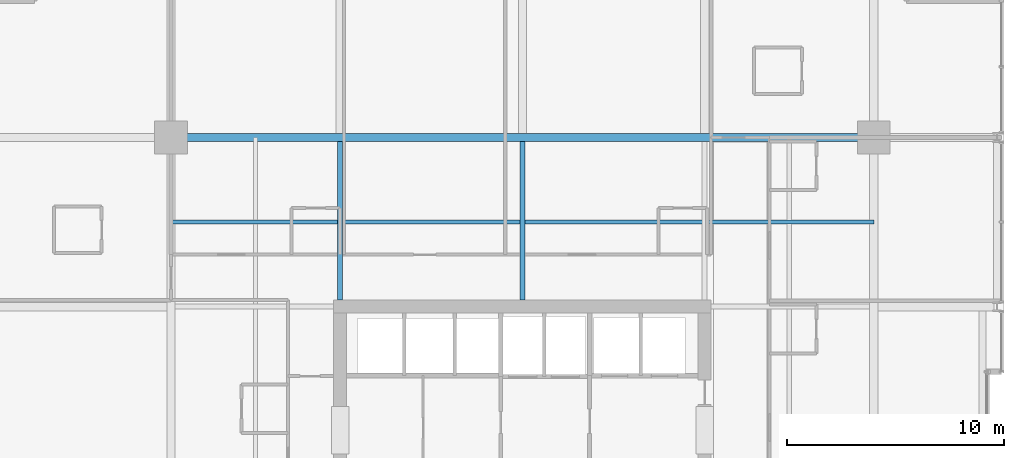
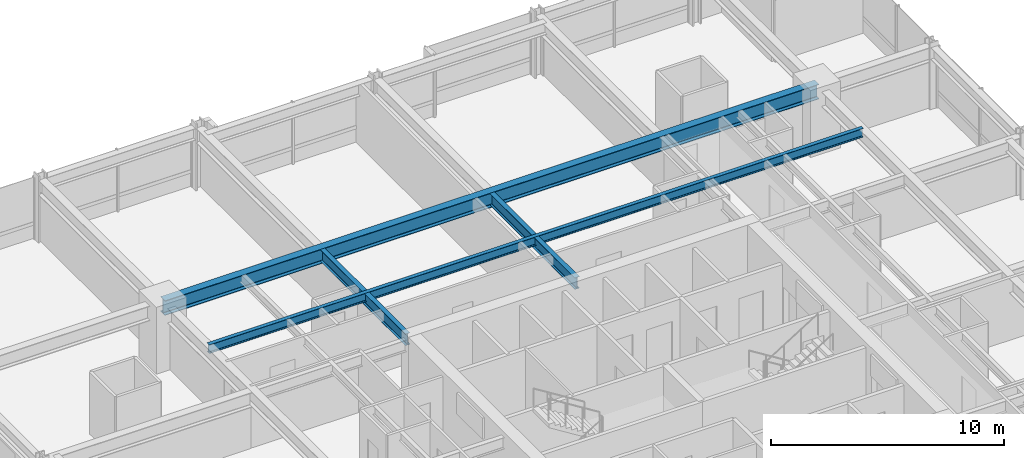
# One storey, part 19 of 34: 4 beams.
"""IFC4 building model written with IfcOpenShell, lengths in metres."""

from ifc_helpers import new_model, si_unit, direction, frame, origin, origin_2d, place, context, subcontext, project, spatial, i_section, extrude, material, material_profile, profile_set, type_object, element, save


model = new_model("IFC4")

# Units and contexts
model_context = context("Model", 3, precision=1e-05, world=origin(), true_north=direction((0.0, 1.0)))
body_context = subcontext(model_context, "Body", "Model", "MODEL_VIEW")
ifc_project = project(units=[si_unit("LENGTHUNIT", "METRE"), si_unit("AREAUNIT", "SQUARE_METRE"), si_unit("VOLUMEUNIT", "CUBIC_METRE"), si_unit("PLANEANGLEUNIT", "RADIAN"), si_unit("MASSUNIT", "GRAM", prefix="KILO")], contexts=[model_context])

# Site, building, storey
site_placement = place(None, origin())
site = spatial("IfcSite", under=ifc_project, at=site_placement, CompositionType="ELEMENT")
building_placement = place(site_placement, origin())
building = spatial("IfcBuilding", under=site, at=building_placement, Name="Drelvath Grand Hotel", CompositionType="ELEMENT")
storey_placement = place(building_placement, frame((0.0, 0.0, 102.300048828125)))
storey = spatial("IfcBuildingStorey", under=building, at=storey_placement, Name="L25", CompositionType="ELEMENT", Elevation=102.300048828125)

# Beams
ifc_material = material(Name="Steel ASTM A992 Gr 50", Category="steel")
ifc_material_profile_1 = material_profile(ifc_material, i_section(OverallWidth=0.19140625, OverallDepth=0.4599609375, WebThickness=0.010009765625, FlangeThickness=0.01611328125, FilletRadius=0.01611328125, at=origin_2d()), Name="W18X55")
ifc_profile_set_1 = profile_set([ifc_material_profile_1], Name="Steel ASTM A992 Gr 50")
beam_type_1 = type_object("IfcBeamType", Name="Composite Floor Joist W18X55", PredefinedType="JOIST", material=ifc_profile_set_1)
beam_1_placement = place(storey_placement, frame((-16.199951171875, 39.300048828125, 3.010009765625), z_axis=(1.0, 0.0, 0.0), x_axis=(0.0, 1.0, 0.0)))
element("IfcBeam", 1, at=beam_1_placement, inside=storey, type_object=beam_type_1, Name="L25 Floor Joist J2", PredefinedType="JOIST", context=body_context, shape_type="SweptSolid", body=[
    extrude(i_section(OverallWidth=0.19140625, OverallDepth=0.4599609375, WebThickness=0.010009765625, FlangeThickness=0.01611328125, FilletRadius=0.01611328125, at=origin_2d()), origin(), (0.0, 0.0, 1.0), 32.39990234375),
])
ifc_material_profile_2 = material_profile(ifc_material, i_section(OverallWidth=0.228271484375, OverallDepth=0.607666015625, WebThickness=0.01123046875, FlangeThickness=0.017333984375, FilletRadius=0.02001953125, at=origin_2d()), Name="W24X76")
ifc_profile_set_2 = profile_set([ifc_material_profile_2], Name="Steel ASTM A992 Gr 50")
beam_type_2 = type_object("IfcBeamType", Name="Primary Floor Girder W24X76", PredefinedType="BEAM", material=ifc_profile_set_2)
for number, where, z_axis, x_axis, name in (
    (2, (-8.39990234375, 35.699951171875, 2.93603515625), (0.0, 1.0, 0.0), (-1.0, 0.0, 0.0), "L25 North Core Tie 4"),
    (3, (0.0, 35.699951171875, 2.93603515625), (0.0, 1.0, 0.0), (-1.0, 0.0, 0.0), "L25 North Core Tie 5"),
):
    element("IfcBeam", number, at=place(storey_placement, frame(where, z_axis=z_axis, x_axis=x_axis)), inside=storey, type_object=beam_type_2, Name=name, PredefinedType="BEAM", context=body_context, shape_type="SweptSolid", body=[
        extrude(i_section(OverallWidth=0.228271484375, OverallDepth=0.607666015625, WebThickness=0.01123046875, FlangeThickness=0.017333984375, FilletRadius=0.02001953125, at=origin_2d()), origin(), (0.0, 0.0, 1.0), 7.309814453125),
    ])
ifc_material_profile_3 = material_profile(ifc_material, i_section(OverallWidth=0.380615234375, OverallDepth=0.773193359375, WebThickness=0.0166015625, FlangeThickness=0.027099609375, FilletRadius=0.02490234375, at=origin_2d()), Name="W30X173")
ifc_profile_set_3 = profile_set([ifc_material_profile_3], Name="Steel ASTM A992 Gr 50")
beam_type_3 = type_object("IfcBeamType", Name="Primary Floor Girder W30X173", PredefinedType="BEAM", material=ifc_profile_set_3)
beam_2_placement = place(storey_placement, frame((-16.199951171875, 43.199951171875, 2.853271484375), z_axis=(1.0, 0.0, 0.0), x_axis=(0.0, 1.0, 0.0)))
element("IfcBeam", 4, at=beam_2_placement, inside=storey, type_object=beam_type_3, Name="L25 Mega Ring Girder North", PredefinedType="BEAM", context=body_context, shape_type="SweptSolid", body=[
    extrude(i_section(OverallWidth=0.380615234375, OverallDepth=0.773193359375, WebThickness=0.0166015625, FlangeThickness=0.027099609375, FilletRadius=0.02490234375, at=origin_2d()), origin(), (0.0, 0.0, 1.0), 32.39990234375),
])

save(model, "model.ifc")
